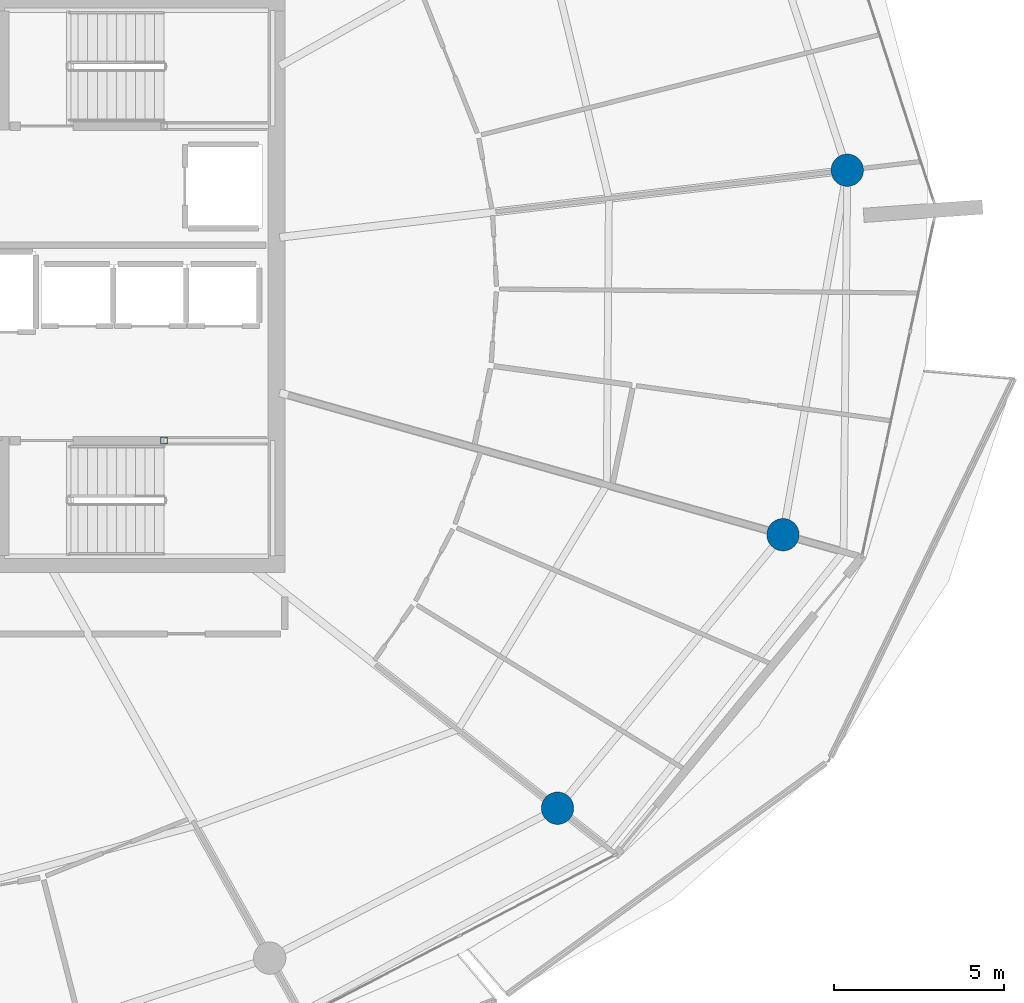
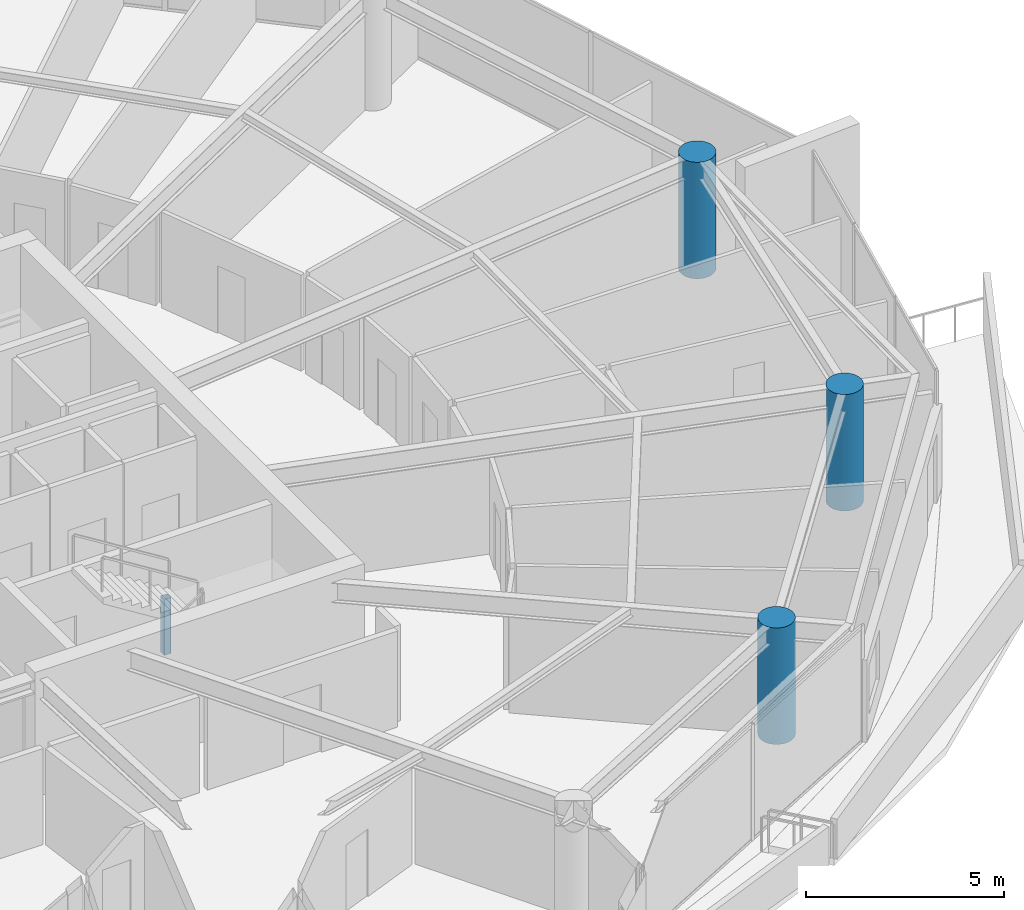
# One storey, part 3 of 31: 4 columns.
"""IFC4 building model written with IfcOpenShell, lengths in metres."""

from ifc_helpers import new_model, si_unit, direction, frame, origin, origin_2d, place, context, subcontext, project, spatial, hollow_rectangle, circle, extrude, material, material_profile, profile_set, type_object, element, save


model = new_model("IFC4")

# Units and contexts
model_context = context("Model", 3, precision=1e-05, world=origin(), true_north=direction((0.0, 1.0)))
body_context = subcontext(model_context, "Body", "Model", "MODEL_VIEW")
ifc_project = project(units=[si_unit("LENGTHUNIT", "METRE"), si_unit("AREAUNIT", "SQUARE_METRE"), si_unit("VOLUMEUNIT", "CUBIC_METRE"), si_unit("PLANEANGLEUNIT", "RADIAN"), si_unit("MASSUNIT", "GRAM", prefix="KILO")], contexts=[model_context])

# Site, building, storey
site_placement = place(None, origin())
site = spatial("IfcSite", under=ifc_project, at=site_placement, CompositionType="ELEMENT")
building_placement = place(site_placement, origin())
building = spatial("IfcBuilding", under=site, at=building_placement, Name="Kazma Halo Residences", CompositionType="ELEMENT")
storey_placement = place(building_placement, frame((0.0, 0.0, 275.199951171875)))
storey = spatial("IfcBuildingStorey", under=building, at=storey_placement, Name="L69", CompositionType="ELEMENT", Elevation=275.199951171875)

# Columns
ifc_material_1 = material(Name="Steel S355", Category="steel")
ifc_material_profile_1 = material_profile(ifc_material_1, hollow_rectangle(XDim=0.199951171875, YDim=0.199951171875, WallThickness=0.010009765625, InnerFilletRadius=0.010009765625, OuterFilletRadius=0.02001953125, at=origin_2d()), Name="SHS200x200x10")
ifc_profile_set_1 = profile_set([ifc_material_profile_1], Name="Steel S355")
column_type_1 = type_object("IfcColumnType", Name="COL-LP-SHS200", PredefinedType="COLUMN", material=ifc_profile_set_1)
column_placement = place(storey_placement, frame((56.0, 37.3798828125, 0.0), z_axis=(0.0, 0.0, 1.0), x_axis=(1.0, 0.0, 0.0)))
element("IfcColumn", 1, at=column_placement, inside=storey, type_object=column_type_1, Name="L69 ST-03 landing pilaster 1", PredefinedType="COLUMN", context=body_context, shape_type="SweptSolid", body=[
    extrude(hollow_rectangle(XDim=0.199951171875, YDim=0.199951171875, WallThickness=0.010009765625, InnerFilletRadius=0.010009765625, OuterFilletRadius=0.02001953125, at=origin_2d()), origin(), (0.0, 0.0, 1.0), 1.719970703125),
])
ifc_material_2 = material(Name="Concrete C60/75", Category="concrete")
ifc_material_profile_2 = material_profile(ifc_material_2, circle(Radius=0.47509765625, at=origin_2d()), Name="CIRC950")
ifc_profile_set_2 = profile_set([ifc_material_profile_2], Name="Concrete C60/75")
column_type_2 = type_object("IfcColumnType", Name="COL-PERIM-950", PredefinedType="COLUMN", material=ifc_profile_set_2)
for number, where, z_axis, x_axis, name in (
    (2, (67.566162109375, 26.5751953125, 0.0), (0.0, 0.0, 1.0), (1.0, 0.0, 0.0), "L69 perimeter ring column P14"),
    (3, (74.19091796875, 34.61328125, 0.0), (0.0, 0.0, 1.0), (1.0, 0.0, 0.0), "L69 perimeter ring column P15"),
    (4, (76.07958984375, 45.323486328125, 0.0), (0.0, 0.0, 1.0), (1.0, 0.0, 0.0), "L69 perimeter ring column P16"),
):
    element("IfcColumn", number, at=place(storey_placement, frame(where, z_axis=z_axis, x_axis=x_axis)), inside=storey, type_object=column_type_2, Name=name, PredefinedType="COLUMN", context=body_context, shape_type="SweptSolid", body=[
        extrude(circle(Radius=0.47509765625, at=origin_2d()), origin(), (0.0, 0.0, 1.0), 3.590087890625),
    ])

save(model, "model.ifc")
